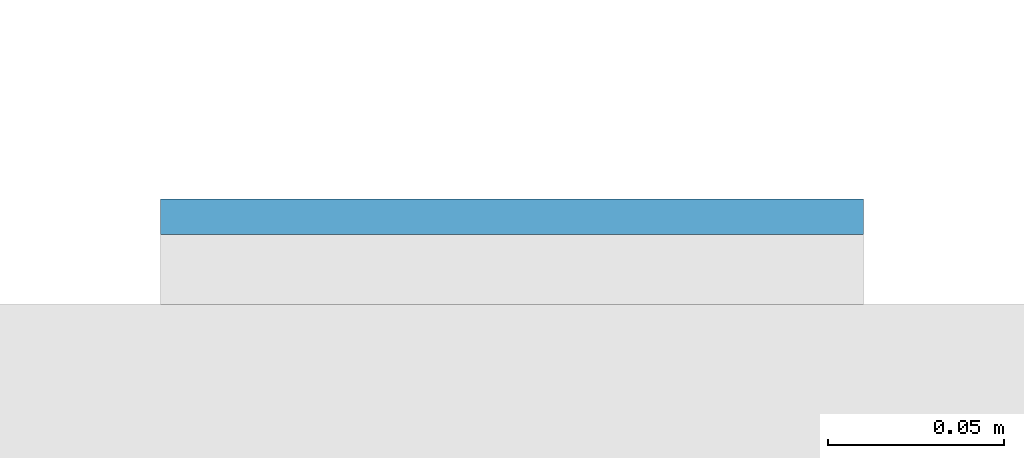
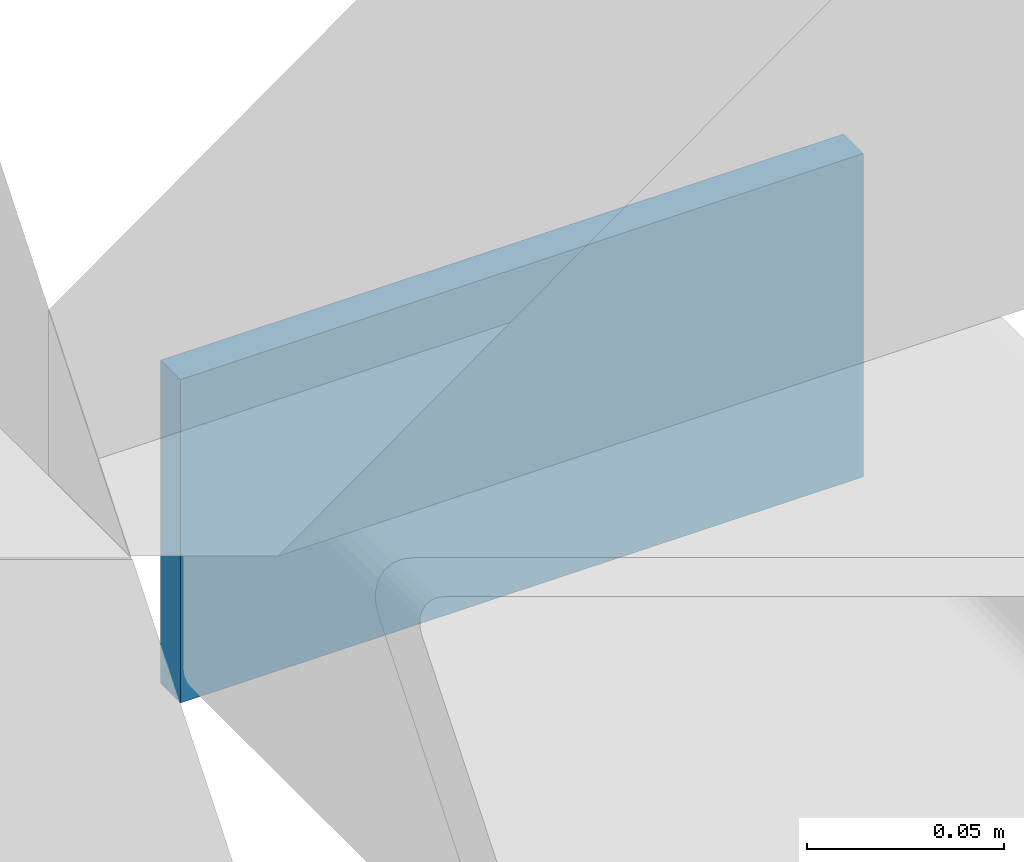
# One storey, part 11 of 20: 1 plate.
"""IFC4 building model written with IfcOpenShell, lengths in metres."""

from ifc_helpers import new_model, si_unit, direction, frame, origin, origin_2d, place, context, subcontext, project, spatial, rectangle, extrude, material, layer, layer_set, type_object, element, save


model = new_model("IFC4")

# Units and contexts
model_context = context("Model", 3, precision=1e-05, world=origin(), true_north=direction((0.0, 1.0)))
body_context = subcontext(model_context, "Body", "Model", "MODEL_VIEW")
ifc_project = project(units=[si_unit("LENGTHUNIT", "METRE"), si_unit("AREAUNIT", "SQUARE_METRE"), si_unit("VOLUMEUNIT", "CUBIC_METRE"), si_unit("PLANEANGLEUNIT", "RADIAN"), si_unit("MASSUNIT", "GRAM", prefix="KILO")], contexts=[model_context])

# Site, building, storey
site_placement = place(None, origin())
site = spatial("IfcSite", under=ifc_project, at=site_placement, CompositionType="ELEMENT")
building_placement = place(site_placement, origin())
building = spatial("IfcBuilding", under=site, at=building_placement, Name="Cleftline Residences", CompositionType="ELEMENT")
storey_placement = place(building_placement, frame((0.0, 0.0, 135.800048828125)))
storey = spatial("IfcBuildingStorey", under=building, at=storey_placement, Name="L35", CompositionType="ELEMENT", Elevation=135.800048828125)

# Plate
ifc_material = material(Name="Steel S355, hot-dip galvanised", Category="steel")
ifc_layer = layer(ifc_material, 0.010009765625)
ifc_layer_set = layer_set([ifc_layer], Name="BAGUETTE CARRIER END PLATE 200X100X10")
plate_type = type_object("IfcPlateType", Name="BAGUETTE CARRIER END PLATE 200X100X10", PredefinedType="USERDEFINED", material=ifc_layer_set)
plate_placement = place(storey_placement, frame((66.85009765625, 44.304931640625, -0.10009765625), z_axis=(0.0, 0.0, 1.0), x_axis=(1.0, 0.0, 0.0)))
element("IfcPlate", 1, at=plate_placement, inside=storey, type_object=plate_type, Name="Baguette carrier end plate", ObjectType="BAGUETTE CARRIER END PLATE", PredefinedType="USERDEFINED", context=body_context, shape_type="SweptSolid", body=[
    extrude(rectangle(XDim=0.199951171875, YDim=0.010009765625, at=origin_2d()), origin(), (0.0, 0.0, 1.0), 0.10009765625),
])

save(model, "model.ifc")
